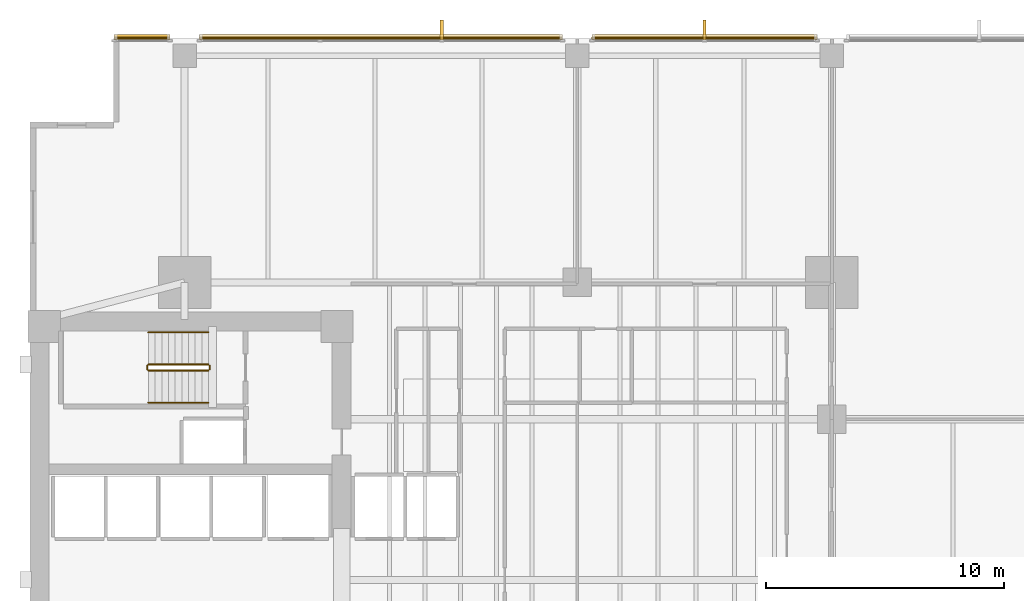
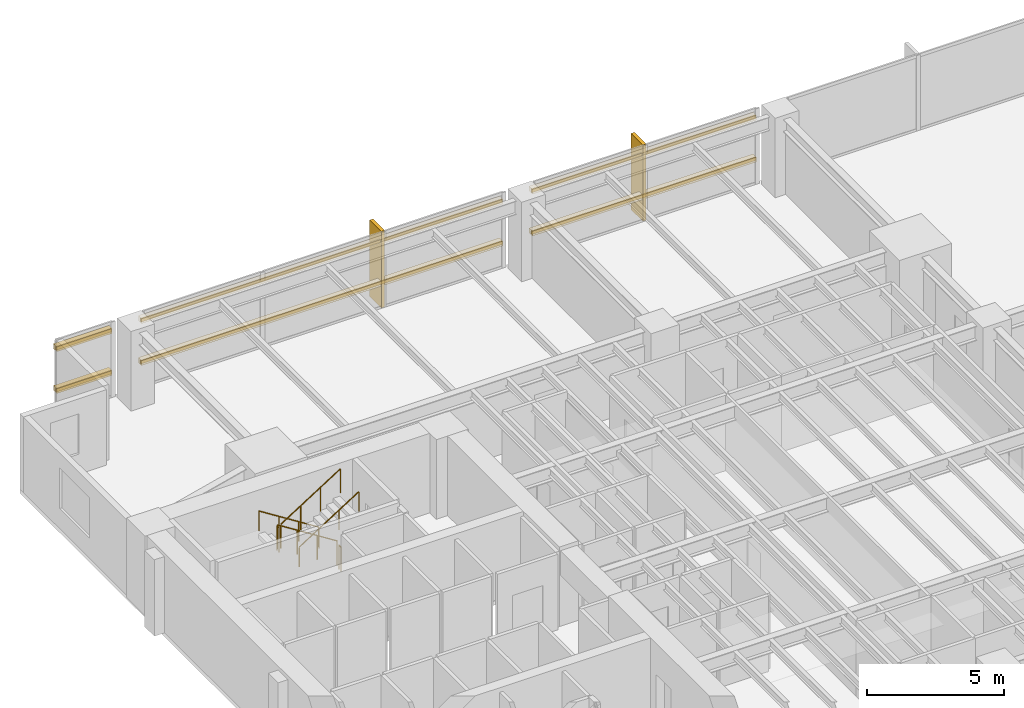
# One storey, part 14 of 15: 8 coverings, 6 railings, 6 shading devices.
"""IFC4 building model written with IfcOpenShell, lengths in metres."""

from ifc_helpers import new_model, si_unit, direction, frame, origin, origin_2d, place, context, subcontext, project, spatial, polyline, rectangle, circle, outline, extrude, material, layer, layer_set, material_profile, profile_set, type_object, element, save


model = new_model("IFC4")

# Units and contexts
model_context = context("Model", 3, precision=1e-05, world=origin(), true_north=direction((0.0, 1.0)))
body_context = subcontext(model_context, "Body", "Model", "MODEL_VIEW")
ifc_project = project(units=[si_unit("LENGTHUNIT", "METRE"), si_unit("AREAUNIT", "SQUARE_METRE"), si_unit("VOLUMEUNIT", "CUBIC_METRE"), si_unit("PLANEANGLEUNIT", "RADIAN"), si_unit("MASSUNIT", "GRAM", prefix="KILO")], contexts=[model_context])

# Site, building, storey
site_placement = place(None, origin())
site = spatial("IfcSite", under=ifc_project, at=site_placement, CompositionType="ELEMENT")
building_placement = place(site_placement, origin())
building = spatial("IfcBuilding", under=site, at=building_placement, Name="Kinhvarn Gate Tower", CompositionType="ELEMENT")
storey_placement = place(building_placement, frame((0.0, 0.0, 32.699951171875)))
storey = spatial("IfcBuildingStorey", under=building, at=storey_placement, Name="L07", CompositionType="ELEMENT", Elevation=32.699951171875)

# Coverings
ifc_material_1 = material(Name="Fired architectural terracotta", Category="masonry")
ifc_layer_1 = layer(ifc_material_1, 0.239990234375)
ifc_layer_set_1 = layer_set([ifc_layer_1], Name="Fired architectural terracotta")
covering_type_1 = type_object("IfcCoveringType", Name="COV-BAG-220", PredefinedType="CLADDING", material=ifc_layer_set_1)
covering_1_placement = place(storey_placement, frame((0.0, 0.0, 0.93994140625)))
element("IfcCovering", 1, at=covering_1_placement, inside=storey, type_object=covering_type_1, Name="Terracotta Horizontal Sunscreen Band TBG-220 (L07)", PredefinedType="CLADDING", context=body_context, shape_type="SweptSolid", body=[
    extrude(outline(polyline([(37.580078125, 47.93994140625), (28.1201171875, 47.93994140625), (28.1201171875, 48.179931640625), (37.580078125, 48.179931640625), (37.580078125, 47.93994140625)])), origin(), (0.0, 0.0, 1.0), 0.22021484375),
])
covering_2_placement = place(storey_placement, frame((0.0, 0.0, 2.81005859375)))
element("IfcCovering", 2, at=covering_2_placement, inside=storey, type_object=covering_type_1, Name="Terracotta Horizontal Sunscreen Band TBG-220 (L07)", PredefinedType="CLADDING", context=body_context, shape_type="SweptSolid", body=[
    extrude(outline(polyline([(37.580078125, 47.93994140625), (28.1201171875, 47.93994140625), (28.1201171875, 48.179931640625), (37.580078125, 48.179931640625), (37.580078125, 47.93994140625)])), origin(), (0.0, 0.0, 1.0), 0.219970703125),
])
covering_3_placement = place(storey_placement, frame((0.0, 0.0, 0.93994140625)))
element("IfcCovering", 3, at=covering_3_placement, inside=storey, type_object=covering_type_1, Name="Terracotta Horizontal Sunscreen Band TBG-220 (L07)", PredefinedType="CLADDING", context=body_context, shape_type="SweptSolid", body=[
    extrude(outline(polyline([(26.8798828125, 47.93994140625), (11.6201171875, 47.93994140625), (11.6201171875, 48.179931640625), (26.8798828125, 48.179931640625), (26.8798828125, 47.93994140625)])), origin(), (0.0, 0.0, 1.0), 0.22021484375),
])
covering_4_placement = place(storey_placement, frame((0.0, 0.0, 2.81005859375)))
element("IfcCovering", 4, at=covering_4_placement, inside=storey, type_object=covering_type_1, Name="Terracotta Horizontal Sunscreen Band TBG-220 (L07)", PredefinedType="CLADDING", context=body_context, shape_type="SweptSolid", body=[
    extrude(outline(polyline([(26.8798828125, 47.93994140625), (11.6201171875, 47.93994140625), (11.6201171875, 48.179931640625), (26.8798828125, 48.179931640625), (26.8798828125, 47.93994140625)])), origin(), (0.0, 0.0, 1.0), 0.219970703125),
])
covering_5_placement = place(storey_placement, frame((0.0, 0.0, 0.93994140625)))
element("IfcCovering", 5, at=covering_5_placement, inside=storey, type_object=covering_type_1, Name="Terracotta Horizontal Sunscreen Band TBG-220 (L07)", PredefinedType="CLADDING", context=body_context, shape_type="SweptSolid", body=[
    extrude(outline(polyline([(10.3798828125, 47.93994140625), (8.0400390625, 47.93994140625), (8.0400390625, 48.179931640625), (10.3798828125, 48.179931640625), (10.3798828125, 47.93994140625)])), origin(), (0.0, 0.0, 1.0), 0.22021484375),
])
covering_6_placement = place(storey_placement, frame((0.0, 0.0, 2.81005859375)))
element("IfcCovering", 6, at=covering_6_placement, inside=storey, type_object=covering_type_1, Name="Terracotta Horizontal Sunscreen Band TBG-220 (L07)", PredefinedType="CLADDING", context=body_context, shape_type="SweptSolid", body=[
    extrude(outline(polyline([(10.3798828125, 47.93994140625), (8.0400390625, 47.93994140625), (8.0400390625, 48.179931640625), (10.3798828125, 48.179931640625), (10.3798828125, 47.93994140625)])), origin(), (0.0, 0.0, 1.0), 0.219970703125),
])
ifc_layer_2 = layer(ifc_material_1, 0.139892578125)
ifc_layer_set_2 = layer_set([ifc_layer_2], Name="Fired architectural terracotta")
covering_type_2 = type_object("IfcCoveringType", Name="COV-FIN-850", PredefinedType="CLADDING", material=ifc_layer_set_2)
covering_7_placement = place(storey_placement, frame((0.0, 0.0, -0.02001953125)))
element("IfcCovering", 7, at=covering_7_placement, inside=storey, type_object=covering_type_2, Name="Vertical Terracotta Expressive Fin TFN-850 (L07)", PredefinedType="CLADDING", context=body_context, shape_type="SweptSolid", body=[
    extrude(outline(polyline([(32.919921875, 47.929931640625), (32.780029296875, 47.929931640625), (32.780029296875, 48.780029296875), (32.919921875, 48.780029296875), (32.919921875, 47.929931640625)])), origin(), (0.0, 0.0, 1.0), 3.41015625),
])
covering_8_placement = place(storey_placement, frame((0.0, 0.0, -0.02001953125)))
element("IfcCovering", 8, at=covering_8_placement, inside=storey, type_object=covering_type_2, Name="Vertical Terracotta Expressive Fin TFN-850 (L07)", PredefinedType="CLADDING", context=body_context, shape_type="SweptSolid", body=[
    extrude(outline(polyline([(21.876708984375, 47.929931640625), (21.73681640625, 47.929931640625), (21.73681640625, 48.780029296875), (21.876708984375, 48.780029296875), (21.876708984375, 47.929931640625)])), origin(), (0.0, 0.0, 1.0), 3.41015625),
])

# Railings
ifc_material_2 = material(Name="Steel S355", Category="steel")
railing_type_1 = type_object("IfcRailingType", Name="RL-ST-GRD", PredefinedType="BALUSTRADE", material=ifc_material_2)
railing_1_placement = place(storey_placement, frame((12.0, 34.300048828125, 0.177490234375)))
element("IfcRailing", 9, at=railing_1_placement, inside=storey, type_object=railing_type_1, Name="L07 ST2 stair guard 1", PredefinedType="BALUSTRADE", context=body_context, shape_type="SweptSolid", body=[
    extrude(circle(Radius=0.02392578125, at=origin_2d()), frame((0.0, 0.0, 1.076171875), z_axis=(-0.84456994832, 0.0, 0.535445237532), x_axis=(0.0, -1.0, 0.0)), (0.0, 0.0, 1.0), 2.98388671875),
    extrude(circle(Radius=0.02099609375, at=origin_2d()), origin(), (0.0, 0.0, 1.0), 1.052001953125),
    extrude(circle(Radius=0.02099609375, at=origin_2d()), frame((-0.840087890625, 0.0, 0.532470703125)), (0.0, 0.0, 1.0), 1.052001953125),
    extrude(circle(Radius=0.02099609375, at=origin_2d()), frame((-1.679931640625, 0.0, 1.065185546875)), (0.0, 0.0, 1.0), 1.052001953125),
    extrude(circle(Radius=0.02099609375, at=origin_2d()), frame((-2.52001953125, 0.0, 1.59765625)), (0.0, 0.0, 1.0), 1.052001953125),
])
railing_2_placement = place(storey_placement, frame((9.429931640625, 34.25, 1.775146484375)))
element("IfcRailing", 10, at=railing_2_placement, inside=storey, type_object=railing_type_1, Name="L07 ST2 stair guard 2", PredefinedType="BALUSTRADE", context=body_context, shape_type="SweptSolid", body=[
    extrude(circle(Radius=0.02392578125, at=origin_2d()), frame((0.0, 0.0, 1.076171875), z_axis=(0.0, -1.0, 0.0), x_axis=(1.0, 0.0, 0.0)), (0.0, 0.0, 1.0), 0.14990234375),
    extrude(circle(Radius=0.02099609375, at=origin_2d()), origin(), (0.0, 0.0, 1.0), 1.052001953125),
    extrude(circle(Radius=0.02099609375, at=origin_2d()), frame((0.0, -0.14990234375, 0.0)), (0.0, 0.0, 1.0), 1.052001953125),
])
railing_3_placement = place(storey_placement, frame((9.47998046875, 34.050048828125, 1.95263671875)))
element("IfcRailing", 11, at=railing_3_placement, inside=storey, type_object=railing_type_1, Name="L07 ST2 stair guard 3", PredefinedType="BALUSTRADE", context=body_context, shape_type="SweptSolid", body=[
    extrude(circle(Radius=0.02392578125, at=origin_2d()), frame((0.0, 0.0, 1.076171875), z_axis=(0.84460694969, 0.0, 0.535386869969), x_axis=(0.0, 1.0, 0.0)), (0.0, 0.0, 1.0), 2.983642578125),
    extrude(circle(Radius=0.02099609375, at=origin_2d()), origin(), (0.0, 0.0, 1.0), 1.052001953125),
    extrude(circle(Radius=0.02099609375, at=origin_2d()), frame((0.840087890625, 0.0, 0.532470703125)), (0.0, 0.0, 1.0), 1.052001953125),
    extrude(circle(Radius=0.02099609375, at=origin_2d()), frame((1.679931640625, 0.0, 1.06494140625)), (0.0, 0.0, 1.0), 1.052001953125),
    extrude(circle(Radius=0.02099609375, at=origin_2d()), frame((2.52001953125, 0.0, 1.597412109375)), (0.0, 0.0, 1.0), 1.052001953125),
])
railing_4_placement = place(storey_placement, frame((12.050048828125, 34.25, 0.0)))
element("IfcRailing", 12, at=railing_4_placement, inside=storey, type_object=railing_type_1, Name="L07 ST2 stair guard 4", PredefinedType="BALUSTRADE", context=body_context, shape_type="SweptSolid", body=[
    extrude(circle(Radius=0.02392578125, at=origin_2d()), frame((0.0, 0.0, 1.076171875), z_axis=(0.0, -1.0, 0.0), x_axis=(1.0, 0.0, 0.0)), (0.0, 0.0, 1.0), 0.14990234375),
    extrude(circle(Radius=0.02099609375, at=origin_2d()), origin(), (0.0, 0.0, 1.0), 1.052001953125),
    extrude(circle(Radius=0.02099609375, at=origin_2d()), frame((0.0, -0.14990234375, 0.0)), (0.0, 0.0, 1.0), 1.052001953125),
])
railing_type_2 = type_object("IfcRailingType", Name="RL-ST-HND", PredefinedType="HANDRAIL", material=ifc_material_2)
railing_5_placement = place(storey_placement, frame((12.0, 35.64990234375, 0.177490234375)))
element("IfcRailing", 13, at=railing_5_placement, inside=storey, type_object=railing_type_2, Name="L07 ST2 stair handrail 1", PredefinedType="HANDRAIL", context=body_context, shape_type="SweptSolid", body=[
    extrude(circle(Radius=0.02392578125, at=origin_2d()), frame((0.0, 0.0, 0.8759765625), z_axis=(-0.84456994832, 0.0, 0.535445237532), x_axis=(0.0, -1.0, 0.0)), (0.0, 0.0, 1.0), 2.98388671875),
    extrude(circle(Radius=0.02099609375, at=origin_2d()), origin(), (0.0, 0.0, 1.0), 0.851806640625),
    extrude(circle(Radius=0.02099609375, at=origin_2d()), frame((-0.840087890625, 0.0, 0.532470703125)), (0.0, 0.0, 1.0), 0.851806640625),
    extrude(circle(Radius=0.02099609375, at=origin_2d()), frame((-1.679931640625, 0.0, 1.065185546875)), (0.0, 0.0, 1.0), 0.851806640625),
    extrude(circle(Radius=0.02099609375, at=origin_2d()), frame((-2.52001953125, 0.0, 1.59765625)), (0.0, 0.0, 1.0), 0.851806640625),
])
railing_6_placement = place(storey_placement, frame((9.47998046875, 32.699951171875, 1.95263671875)))
element("IfcRailing", 14, at=railing_6_placement, inside=storey, type_object=railing_type_2, Name="L07 ST2 stair handrail 2", PredefinedType="HANDRAIL", context=body_context, shape_type="SweptSolid", body=[
    extrude(circle(Radius=0.02392578125, at=origin_2d()), frame((0.0, 0.0, 0.8759765625), z_axis=(0.84460694969, 0.0, 0.535386869969), x_axis=(0.0, 1.0, 0.0)), (0.0, 0.0, 1.0), 2.983642578125),
    extrude(circle(Radius=0.02099609375, at=origin_2d()), origin(), (0.0, 0.0, 1.0), 0.851806640625),
    extrude(circle(Radius=0.02099609375, at=origin_2d()), frame((0.840087890625, 0.0, 0.532470703125)), (0.0, 0.0, 1.0), 0.851806640625),
    extrude(circle(Radius=0.02099609375, at=origin_2d()), frame((1.679931640625, 0.0, 1.06494140625)), (0.0, 0.0, 1.0), 0.851806640625),
    extrude(circle(Radius=0.02099609375, at=origin_2d()), frame((2.52001953125, 0.0, 1.597412109375)), (0.0, 0.0, 1.0), 0.851806640625),
])

# Shading devices
ifc_material_profile = material_profile(ifc_material_1, rectangle(XDim=0.06005859375, YDim=0.139892578125, at=origin_2d()), Name="TC 60x140")
ifc_profile_set = profile_set([ifc_material_profile], Name="Fired architectural terracotta")
shading_device_type = type_object("IfcShadingDeviceType", Name="SHD-BAG-180", PredefinedType="USERDEFINED", material=ifc_profile_set)
for number, where, z_axis, x_axis, name in (
    (15, (37.580078125, 48.014892578125, 1.050048828125), (-1.0, 0.0, 0.0), (0.0, -1.0, 0.0), "Fired Terracotta Baguette Screen Rod 60x140 mm (L07)"),
    (16, (37.580078125, 48.014892578125, 2.920166015625), (-1.0, 0.0, 0.0), (0.0, -1.0, 0.0), "Fired Terracotta Baguette Screen Rod 60x140 mm (L07)"),
):
    element("IfcShadingDevice", number, at=place(storey_placement, frame(where, z_axis=z_axis, x_axis=x_axis)), inside=storey, type_object=shading_device_type, Name=name, ObjectType="BAGUETTE", PredefinedType="USERDEFINED", context=body_context, shape_type="SweptSolid", body=[
        extrude(rectangle(XDim=0.06005859375, YDim=0.139892578125, at=origin_2d()), origin(), (0.0, 0.0, 1.0), 9.4599609375),
    ])
for number, where, z_axis, x_axis, name in (
    (17, (26.8798828125, 48.014892578125, 1.050048828125), (-1.0, 0.0, 0.0), (0.0, -1.0, 0.0), "Fired Terracotta Baguette Screen Rod 60x140 mm (L07)"),
    (18, (26.8798828125, 48.014892578125, 2.920166015625), (-1.0, 0.0, 0.0), (0.0, -1.0, 0.0), "Fired Terracotta Baguette Screen Rod 60x140 mm (L07)"),
):
    element("IfcShadingDevice", number, at=place(storey_placement, frame(where, z_axis=z_axis, x_axis=x_axis)), inside=storey, type_object=shading_device_type, Name=name, ObjectType="BAGUETTE", PredefinedType="USERDEFINED", context=body_context, shape_type="SweptSolid", body=[
        extrude(rectangle(XDim=0.06005859375, YDim=0.139892578125, at=origin_2d()), origin(), (0.0, 0.0, 1.0), 15.259765625),
    ])
for number, where, z_axis, x_axis, name in (
    (19, (10.3798828125, 48.014892578125, 1.050048828125), (-1.0, 0.0, 0.0), (0.0, -1.0, 0.0), "Fired Terracotta Baguette Screen Rod 60x140 mm (L07)"),
    (20, (10.3798828125, 48.014892578125, 2.920166015625), (-1.0, 0.0, 0.0), (0.0, -1.0, 0.0), "Fired Terracotta Baguette Screen Rod 60x140 mm (L07)"),
):
    element("IfcShadingDevice", number, at=place(storey_placement, frame(where, z_axis=z_axis, x_axis=x_axis)), inside=storey, type_object=shading_device_type, Name=name, ObjectType="BAGUETTE", PredefinedType="USERDEFINED", context=body_context, shape_type="SweptSolid", body=[
        extrude(rectangle(XDim=0.06005859375, YDim=0.139892578125, at=origin_2d()), origin(), (0.0, 0.0, 1.0), 2.33984375),
    ])

save(model, "model.ifc")
